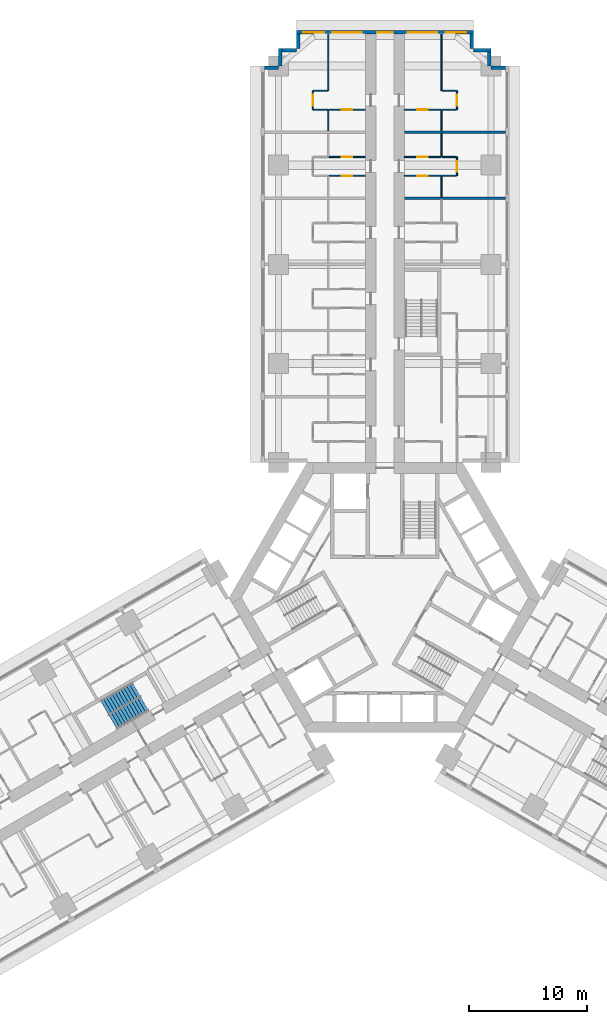
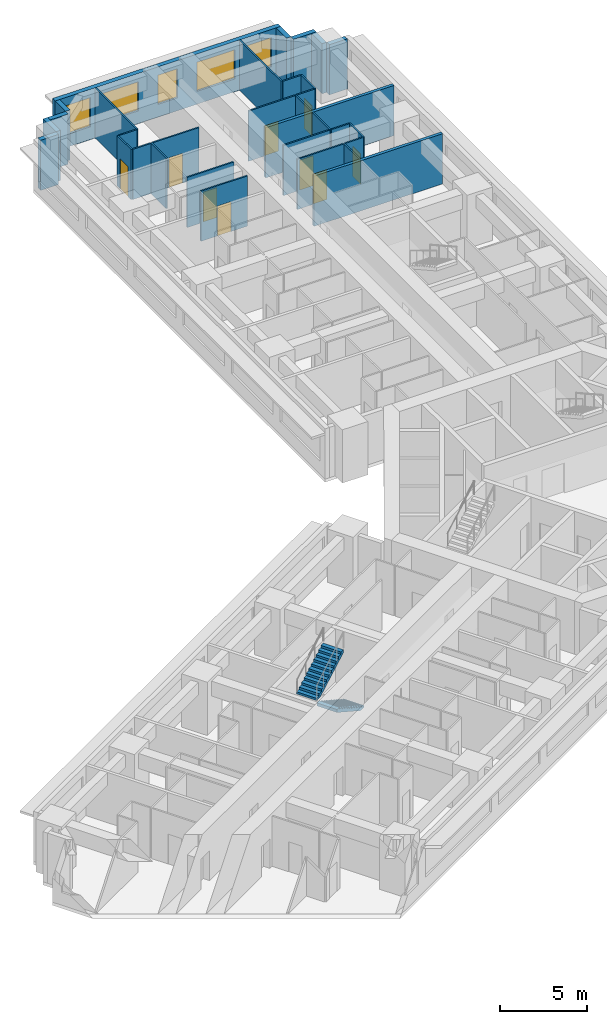
# One storey, part 15 of 17: 32 walls, 9 doors, 5 windows, 2 stair flights, 14 openings, 1 element without a shape of its own.
"""IFC4 building model written with IfcOpenShell, lengths in metres."""

from ifc_helpers import new_model, si_unit, direction, frame, frame_2d, origin, place, context, subcontext, project, spatial, polyline, rectangle, outline, extrude, material, layer, layer_set, type_object, element, fill, aggregate, save


model = new_model("IFC4")

# Units and contexts
model_context = context("Model", 3, precision=1e-05, world=origin(), true_north=direction((0.0, 1.0)))
body_context = subcontext(model_context, "Body", "Model", "MODEL_VIEW")
ifc_project = project(units=[si_unit("LENGTHUNIT", "METRE"), si_unit("AREAUNIT", "SQUARE_METRE"), si_unit("VOLUMEUNIT", "CUBIC_METRE"), si_unit("PLANEANGLEUNIT", "RADIAN"), si_unit("MASSUNIT", "GRAM", prefix="KILO")], contexts=[model_context])

# Site, building, storey
site_placement = place(None, origin())
site = spatial("IfcSite", under=ifc_project, at=site_placement, CompositionType="ELEMENT")
building_placement = place(site_placement, origin())
building = spatial("IfcBuilding", under=site, at=building_placement, Name="Impinga Residences", CompositionType="ELEMENT")
storey_placement = place(building_placement, frame((0.0, 0.0, 29.75)))
storey = spatial("IfcBuildingStorey", under=building, at=storey_placement, Name="L06", CompositionType="ELEMENT", Elevation=29.75)

# Walls
ifc_material_1 = material(Name="Terracotta rainscreen on blockwork", Category="masonry")
ifc_layer_1 = layer(ifc_material_1, 0.300048828125)
ifc_layer_set_1 = layer_set([ifc_layer_1], Name="EW1 external wall, terracotta rainscreen on blockwork 300")
wall_type_1 = type_object("IfcWallType", Name="EW1 external wall, terracotta rainscreen on blockwork 300", PredefinedType="SOLIDWALL", material=ifc_layer_set_1)
wall_1_placement = place(storey_placement, frame((-10.199951171875, 44.881591796875, 0.0), z_axis=(0.0, 0.0, 1.0), x_axis=(1.0, 0.0, 0.0)))
element("IfcWall", 1, at=wall_1_placement, inside=storey, type_object=wall_type_1, Name="External wall EW1 L06", PredefinedType="SOLIDWALL", context=body_context, shape_type="SweptSolid", body=[
    extrude(rectangle(XDim=1.199951171875, YDim=0.300048828125, at=frame_2d((0.60009765625, 0.0))), origin(), (0.0, 0.0, 1.0), 3.530029296875),
])
wall_2_placement = place(storey_placement, frame((-8.85009765625, 45.03662109375, 0.0), z_axis=(0.0, 0.0, 1.0), x_axis=(0.0, 1.0, 0.0)))
element("IfcWall", 2, at=wall_2_placement, inside=storey, type_object=wall_type_1, Name="External wall EW1 L06", PredefinedType="SOLIDWALL", context=body_context, shape_type="SweptSolid", body=[
    extrude(rectangle(XDim=1.494873046875, YDim=0.300048828125, at=frame_2d((0.74755859375, 0.0))), origin(), (0.0, 0.0, 1.0), 3.530029296875),
])
wall_3_placement = place(storey_placement, frame((-8.699951171875, 46.381591796875, 0.0), z_axis=(0.0, 0.0, 1.0), x_axis=(1.0, 0.0, 0.0)))
element("IfcWall", 3, at=wall_3_placement, inside=storey, type_object=wall_type_1, Name="External wall EW1 L06", PredefinedType="SOLIDWALL", context=body_context, shape_type="SweptSolid", body=[
    extrude(rectangle(XDim=1.199951171875, YDim=0.300048828125, at=frame_2d((0.60009765625, 0.0))), origin(), (0.0, 0.0, 1.0), 3.530029296875),
])
wall_4_placement = place(storey_placement, frame((-7.35009765625, 46.53662109375, 0.0), z_axis=(0.0, 0.0, 1.0), x_axis=(0.0, 1.0, 0.0)))
element("IfcWall", 4, at=wall_4_placement, inside=storey, type_object=wall_type_1, Name="External wall EW1 L06", PredefinedType="SOLIDWALL", context=body_context, shape_type="SweptSolid", body=[
    extrude(rectangle(XDim=1.19482421875, YDim=0.300048828125, at=frame_2d((0.597412109375, 0.0))), origin(), (0.0, 0.0, 1.0), 3.530029296875),
])

# Wall, openings, windows
wall_5_placement = place(storey_placement, frame((-7.5, 47.881591796875, 0.0), z_axis=(0.0, 0.0, 1.0), x_axis=(1.0, 0.0, 0.0)))
wall_5 = element("IfcWall", 5, at=wall_5_placement, inside=storey, type_object=wall_type_1, Name="External wall EW1 L06", PredefinedType="SOLIDWALL", context=body_context, shape_type="SweptSolid", body=[
    extrude(rectangle(XDim=15.0, YDim=0.300048828125, at=frame_2d((7.5, 0.0))), origin(), (0.0, 0.0, 1.0), 3.530029296875),
])
opening_1_placement = place(wall_5_placement, frame((0.60009765625, 0.0, 0.89990234375)))
opening_1 = element("IfcOpeningElement", 6, at=opening_1_placement, cuts=wall_5, Name="Opening W1", PredefinedType="OPENING", context=body_context, shape_type="SweptSolid", body=[
    extrude(rectangle(XDim=1.75, YDim=2.050048828125, at=frame_2d((0.875, 1.02490234375))), frame((0.0, 0.159912109375, 0.0), z_axis=(0.0, -1.0, 0.0), x_axis=(1.0, 0.0, 0.0)), (0.0, 0.0, 1.0), 0.320068359375),
])
opening_2_placement = place(wall_5_placement, frame((3.050048828125, 0.0, 0.89990234375)))
opening_2 = element("IfcOpeningElement", 7, at=opening_2_placement, cuts=wall_5, Name="Opening W2", PredefinedType="OPENING", context=body_context, shape_type="SweptSolid", body=[
    extrude(rectangle(XDim=2.5, YDim=2.050048828125, at=frame_2d((1.25, 1.02490234375))), frame((0.0, 0.159912109375, 0.0), z_axis=(0.0, -1.0, 0.0), x_axis=(1.0, 0.0, 0.0)), (0.0, 0.0, 1.0), 0.320068359375),
])
opening_3_placement = place(wall_5_placement, frame((6.85009765625, 0.0, 0.89990234375)))
opening_3 = element("IfcOpeningElement", 8, at=opening_3_placement, cuts=wall_5, Name="Opening WE1", PredefinedType="OPENING", context=body_context, shape_type="SweptSolid", body=[
    extrude(rectangle(XDim=1.300048828125, YDim=2.050048828125, at=frame_2d((0.64990234375, 1.02490234375))), frame((0.0, 0.159912109375, 0.0), z_axis=(0.0, -1.0, 0.0), x_axis=(1.0, 0.0, 0.0)), (0.0, 0.0, 1.0), 0.320068359375),
])
opening_4_placement = place(wall_5_placement, frame((9.449951171875, 0.0, 0.89990234375)))
opening_4 = element("IfcOpeningElement", 9, at=opening_4_placement, cuts=wall_5, Name="Opening W2", PredefinedType="OPENING", context=body_context, shape_type="SweptSolid", body=[
    extrude(rectangle(XDim=2.5, YDim=2.050048828125, at=frame_2d((1.25, 1.02490234375))), frame((0.0, 0.159912109375, 0.0), z_axis=(0.0, -1.0, 0.0), x_axis=(1.0, 0.0, 0.0)), (0.0, 0.0, 1.0), 0.320068359375),
])
opening_5_placement = place(wall_5_placement, frame((12.64990234375, 0.0, 0.89990234375)))
opening_5 = element("IfcOpeningElement", 10, at=opening_5_placement, cuts=wall_5, Name="Opening W1", PredefinedType="OPENING", context=body_context, shape_type="SweptSolid", body=[
    extrude(rectangle(XDim=1.75, YDim=2.050048828125, at=frame_2d((0.875, 1.02490234375))), frame((0.0, 0.159912109375, 0.0), z_axis=(0.0, -1.0, 0.0), x_axis=(1.0, 0.0, 0.0)), (0.0, 0.0, 1.0), 0.320068359375),
])
ifc_material_2 = material(Name="Aluminium window, clear double glazing", Category="aluminium")
window_type_1 = type_object("IfcWindowType", Name="W1 ribbon window 1750x2050", PartitioningType="SINGLE_PANEL", PredefinedType="WINDOW", material=ifc_material_2)
window_1_placement = place(opening_1_placement, origin())
window_1 = element("IfcWindow", 11, at=window_1_placement, inside=storey, type_object=window_type_1, Name="Window L06", OverallHeight=2.050048828125, OverallWidth=1.75, PartitioningType="SINGLE_PANEL", PredefinedType="WINDOW", context=body_context, shape_type="SweptSolid", body=[
    extrude(rectangle(XDim=1.75, YDim=2.050048828125, at=frame_2d((0.875, 1.02490234375))), frame((0.0, 0.030029296875, 0.0), z_axis=(0.0, -1.0, 0.0), x_axis=(1.0, 0.0, 0.0)), (0.0, 0.0, 1.0), 0.06005859375),
])
fill(opening_1, window_1)
window_2_placement = place(opening_5_placement, origin())
window_2 = element("IfcWindow", 12, at=window_2_placement, inside=storey, type_object=window_type_1, Name="Window L06", OverallHeight=2.050048828125, OverallWidth=1.75, PartitioningType="SINGLE_PANEL", PredefinedType="WINDOW", context=body_context, shape_type="SweptSolid", body=[
    extrude(rectangle(XDim=1.75, YDim=2.050048828125, at=frame_2d((0.875, 1.02490234375))), frame((0.0, 0.030029296875, 0.0), z_axis=(0.0, -1.0, 0.0), x_axis=(1.0, 0.0, 0.0)), (0.0, 0.0, 1.0), 0.06005859375),
])
fill(opening_5, window_2)
window_type_2 = type_object("IfcWindowType", Name="W2 ribbon window 2500x2050", PartitioningType="SINGLE_PANEL", PredefinedType="WINDOW", material=ifc_material_2)
window_3_placement = place(opening_2_placement, origin())
window_3 = element("IfcWindow", 13, at=window_3_placement, inside=storey, type_object=window_type_2, Name="Window L06", OverallHeight=2.050048828125, OverallWidth=2.5, PartitioningType="SINGLE_PANEL", PredefinedType="WINDOW", context=body_context, shape_type="SweptSolid", body=[
    extrude(rectangle(XDim=2.5, YDim=2.050048828125, at=frame_2d((1.25, 1.02490234375))), frame((0.0, 0.030029296875, 0.0), z_axis=(0.0, -1.0, 0.0), x_axis=(1.0, 0.0, 0.0)), (0.0, 0.0, 1.0), 0.06005859375),
])
fill(opening_2, window_3)
window_4_placement = place(opening_4_placement, origin())
window_4 = element("IfcWindow", 14, at=window_4_placement, inside=storey, type_object=window_type_2, Name="Window L06", OverallHeight=2.050048828125, OverallWidth=2.5, PartitioningType="SINGLE_PANEL", PredefinedType="WINDOW", context=body_context, shape_type="SweptSolid", body=[
    extrude(rectangle(XDim=2.5, YDim=2.050048828125, at=frame_2d((1.25, 1.02490234375))), frame((0.0, 0.030029296875, 0.0), z_axis=(0.0, -1.0, 0.0), x_axis=(1.0, 0.0, 0.0)), (0.0, 0.0, 1.0), 0.06005859375),
])
fill(opening_4, window_4)
window_type_3 = type_object("IfcWindowType", Name="WE1 corridor window 1300x2050", PartitioningType="SINGLE_PANEL", PredefinedType="WINDOW", material=ifc_material_2)
window_5_placement = place(opening_3_placement, origin())
window_5 = element("IfcWindow", 15, at=window_5_placement, inside=storey, type_object=window_type_3, Name="Window L06", OverallHeight=2.050048828125, OverallWidth=1.300048828125, PartitioningType="SINGLE_PANEL", PredefinedType="WINDOW", context=body_context, shape_type="SweptSolid", body=[
    extrude(rectangle(XDim=1.300048828125, YDim=2.050048828125, at=frame_2d((0.64990234375, 1.02490234375))), frame((0.0, 0.030029296875, 0.0), z_axis=(0.0, -1.0, 0.0), x_axis=(1.0, 0.0, 0.0)), (0.0, 0.0, 1.0), 0.06005859375),
])
fill(opening_3, window_5)

# Walls
wall_6_placement = place(storey_placement, frame((7.35009765625, 47.7314453125, 0.0), z_axis=(0.0, 0.0, 1.0), x_axis=(0.0, -1.0, 0.0)))
element("IfcWall", 16, at=wall_6_placement, inside=storey, type_object=wall_type_1, Name="External wall EW1 L06", PredefinedType="SOLIDWALL", context=body_context, shape_type="SweptSolid", body=[
    extrude(rectangle(XDim=1.19482421875, YDim=0.300048828125, at=frame_2d((0.597412109375, 0.0))), origin(), (0.0, 0.0, 1.0), 3.530029296875),
])
wall_7_placement = place(storey_placement, frame((7.5, 46.381591796875, 0.0), z_axis=(0.0, 0.0, 1.0), x_axis=(1.0, 0.0, 0.0)))
element("IfcWall", 17, at=wall_7_placement, inside=storey, type_object=wall_type_1, Name="External wall EW1 L06", PredefinedType="SOLIDWALL", context=body_context, shape_type="SweptSolid", body=[
    extrude(rectangle(XDim=1.5, YDim=0.300048828125, at=frame_2d((0.75, 0.0))), origin(), (0.0, 0.0, 1.0), 3.530029296875),
])
wall_8_placement = place(storey_placement, frame((8.85009765625, 46.2314453125, 0.0), z_axis=(0.0, 0.0, 1.0), x_axis=(0.0, -1.0, 0.0)))
element("IfcWall", 18, at=wall_8_placement, inside=storey, type_object=wall_type_1, Name="External wall EW1 L06", PredefinedType="SOLIDWALL", context=body_context, shape_type="SweptSolid", body=[
    extrude(rectangle(XDim=1.199951171875, YDim=0.300048828125, at=frame_2d((0.60009765625, 0.0))), origin(), (0.0, 0.0, 1.0), 3.530029296875),
])
wall_9_placement = place(storey_placement, frame((9.0048828125, 44.881591796875, 0.0), z_axis=(0.0, 0.0, 1.0), x_axis=(1.0, 0.0, 0.0)))
element("IfcWall", 19, at=wall_9_placement, inside=storey, type_object=wall_type_1, Name="External wall EW1 L06", PredefinedType="SOLIDWALL", context=body_context, shape_type="SweptSolid", body=[
    extrude(rectangle(XDim=1.195068359375, YDim=0.300048828125, at=frame_2d((0.59765625, 0.0))), origin(), (0.0, 0.0, 1.0), 3.530029296875),
])

# Wall, opening, door
ifc_material_3 = material(Name="Gypsum board on steel studs", Category="steel")
ifc_layer_2 = layer(ifc_material_3, 0.10009765625)
ifc_layer_set_2 = layer_set([ifc_layer_2], Name="Gypsum board on steel studs")
wall_type_2 = type_object("IfcWallType", Name="IP1 partition 100", PredefinedType="PARTITIONING", material=ifc_layer_set_2)
wall_10_placement = place(storey_placement, frame((-1.64990234375, 35.7314453125, 0.0), z_axis=(0.0, 0.0, 1.0), x_axis=(-1.0, 0.0, 0.0)))
wall_10 = element("IfcWall", 20, at=wall_10_placement, inside=storey, type_object=wall_type_2, Name="Partition L06-NA5:IB1", PredefinedType="PARTITIONING", context=body_context, shape_type="SweptSolid", body=[
    extrude(rectangle(XDim=3.10009765625, YDim=0.10009765625, at=frame_2d((1.550048828125, 0.0))), origin(), (0.0, 0.0, 1.0), 3.530029296875),
])
opening_6_placement = place(wall_10_placement, frame((1.10009765625, 0.0, 0.0)))
opening_6 = element("IfcOpeningElement", 21, at=opening_6_placement, cuts=wall_10, Name="Opening D2", PredefinedType="OPENING", context=body_context, shape_type="SweptSolid", body=[
    extrude(rectangle(XDim=0.89990234375, YDim=2.10009765625, at=frame_2d((0.449951171875, 1.050048828125))), frame((0.0, 0.06005859375, 0.0), z_axis=(0.0, -1.0, 0.0), x_axis=(1.0, 0.0, 0.0)), (0.0, 0.0, 1.0), 0.1201171875),
])
ifc_material_4 = material(Name="Timber door set", Category="wood")
door_type = type_object("IfcDoorType", Name="D2 internal door 900x2100", OperationType="SINGLE_SWING_LEFT", PredefinedType="DOOR", material=ifc_material_4)
door_1_placement = place(opening_6_placement, origin())
door_1 = element("IfcDoor", 22, at=door_1_placement, inside=storey, type_object=door_type, Name="Apartment L06-NA5 bathroom door", OperationType="SINGLE_SWING_LEFT", OverallHeight=2.10009765625, OverallWidth=0.89990234375, PredefinedType="DOOR", context=body_context, shape_type="SweptSolid", body=[
    extrude(rectangle(XDim=0.89990234375, YDim=2.10009765625, at=frame_2d((0.449951171875, 1.050048828125))), frame((0.0, 0.02490234375, 0.0), z_axis=(0.0, -1.0, 0.0), x_axis=(1.0, 0.0, 0.0)), (0.0, 0.0, 1.0), 0.050048828125),
])
fill(opening_6, door_1)

wall_11_placement = place(storey_placement, frame((-1.64990234375, 37.33154296875, 0.0), z_axis=(0.0, 0.0, 1.0), x_axis=(-1.0, 0.0, 0.0)))
wall_11 = element("IfcWall", 23, at=wall_11_placement, inside=storey, type_object=wall_type_2, Name="Partition L06-NA5:IB2", PredefinedType="PARTITIONING", context=body_context, shape_type="SweptSolid", body=[
    extrude(rectangle(XDim=3.10009765625, YDim=0.10009765625, at=frame_2d((1.550048828125, 0.0))), origin(), (0.0, 0.0, 1.0), 3.530029296875),
])
opening_7_placement = place(wall_11_placement, frame((1.10009765625, 0.0, 0.0)))
opening_7 = element("IfcOpeningElement", 24, at=opening_7_placement, cuts=wall_11, Name="Opening D2", PredefinedType="OPENING", context=body_context, shape_type="SweptSolid", body=[
    extrude(rectangle(XDim=0.89990234375, YDim=2.10009765625, at=frame_2d((0.449951171875, 1.050048828125))), frame((0.0, 0.06005859375, 0.0), z_axis=(0.0, -1.0, 0.0), x_axis=(1.0, 0.0, 0.0)), (0.0, 0.0, 1.0), 0.1201171875),
])
door_2_placement = place(opening_7_placement, origin())
door_2 = element("IfcDoor", 25, at=door_2_placement, inside=storey, type_object=door_type, Name="Apartment L06-NA5 WC door", OperationType="SINGLE_SWING_LEFT", OverallHeight=2.10009765625, OverallWidth=0.89990234375, PredefinedType="DOOR", context=body_context, shape_type="SweptSolid", body=[
    extrude(rectangle(XDim=0.89990234375, YDim=2.10009765625, at=frame_2d((0.449951171875, 1.050048828125))), frame((0.0, 0.02490234375, 0.0), z_axis=(0.0, -1.0, 0.0), x_axis=(1.0, 0.0, 0.0)), (0.0, 0.0, 1.0), 0.050048828125),
])
fill(opening_7, door_2)

# Walls
wall_12_placement = place(storey_placement, frame((-4.800048828125, 39.531494140625, 0.0), z_axis=(0.0, 0.0, 1.0), x_axis=(0.0, 1.0, 0.0)))
element("IfcWall", 26, at=wall_12_placement, inside=storey, type_object=wall_type_2, Name="Partition L06-NA6:DIV0", PredefinedType="PARTITIONING", context=body_context, shape_type="SweptSolid", body=[
    extrude(rectangle(XDim=1.800048828125, YDim=0.10009765625, at=frame_2d((0.89990234375, 0.0))), origin(), (0.0, 0.0, 1.0), 3.530029296875),
])
wall_13_placement = place(storey_placement, frame((-4.800048828125, 42.931640625, 0.0), z_axis=(0.0, 0.0, 1.0), x_axis=(0.0, 1.0, 0.0)))
element("IfcWall", 27, at=wall_13_placement, inside=storey, type_object=wall_type_2, Name="Partition L06-NA6:DIV1", PredefinedType="PARTITIONING", context=body_context, shape_type="SweptSolid", body=[
    extrude(rectangle(XDim=4.7998046875, YDim=0.10009765625, at=frame_2d((2.39990234375, 0.0))), origin(), (0.0, 0.0, 1.0), 3.530029296875),
])

# Wall, opening, door
wall_14_placement = place(storey_placement, frame((-6.10009765625, 41.33154296875, 0.0), z_axis=(0.0, 0.0, 1.0), x_axis=(0.0, 1.0, 0.0)))
wall_14 = element("IfcWall", 28, at=wall_14_placement, inside=storey, type_object=wall_type_2, Name="Partition L06-NA6:STRIP", PredefinedType="PARTITIONING", context=body_context, shape_type="SweptSolid", body=[
    extrude(rectangle(XDim=1.60009765625, YDim=0.10009765625, at=frame_2d((0.800048828125, 0.0))), origin(), (0.0, 0.0, 1.0), 3.530029296875),
])
opening_8_placement = place(wall_14_placement, frame((0.35009765625, 0.0, 0.0)))
opening_8 = element("IfcOpeningElement", 29, at=opening_8_placement, cuts=wall_14, Name="Opening D2", PredefinedType="OPENING", context=body_context, shape_type="SweptSolid", body=[
    extrude(rectangle(XDim=0.89990234375, YDim=2.10009765625, at=frame_2d((0.449951171875, 1.050048828125))), frame((0.0, 0.06005859375, 0.0), z_axis=(0.0, -1.0, 0.0), x_axis=(1.0, 0.0, 0.0)), (0.0, 0.0, 1.0), 0.1201171875),
])
door_3_placement = place(opening_8_placement, origin())
door_3 = element("IfcDoor", 30, at=door_3_placement, inside=storey, type_object=door_type, Name="Apartment L06-NA6 room door", OperationType="SINGLE_SWING_LEFT", OverallHeight=2.10009765625, OverallWidth=0.89990234375, PredefinedType="DOOR", context=body_context, shape_type="SweptSolid", body=[
    extrude(rectangle(XDim=0.89990234375, YDim=2.10009765625, at=frame_2d((0.449951171875, 1.050048828125))), frame((0.0, 0.02490234375, 0.0), z_axis=(0.0, -1.0, 0.0), x_axis=(1.0, 0.0, 0.0)), (0.0, 0.0, 1.0), 0.050048828125),
])
fill(opening_8, door_3)

# Walls
for number, where, z_axis, x_axis, name in (
    (31, (-4.85009765625, 41.33154296875, 0.0), (0.0, 0.0, 1.0), (-1.0, 0.0, 0.0), "Partition L06-NA6:SE0"),
    (32, (-4.85009765625, 42.931640625, 0.0), (0.0, 0.0, 1.0), (-1.0, 0.0, 0.0), "Partition L06-NA6:SE1"),
):
    element("IfcWall", number, at=place(storey_placement, frame(where, z_axis=z_axis, x_axis=x_axis)), inside=storey, type_object=wall_type_2, Name=name, PredefinedType="PARTITIONING", context=body_context, shape_type="SweptSolid", body=[
        extrude(rectangle(XDim=1.199951171875, YDim=0.10009765625, at=frame_2d((0.60009765625, 0.0))), origin(), (0.0, 0.0, 1.0), 3.530029296875),
    ])

# Wall, opening, door
wall_15_placement = place(storey_placement, frame((-1.64990234375, 41.33154296875, 0.0), z_axis=(0.0, 0.0, 1.0), x_axis=(-1.0, 0.0, 0.0)))
wall_15 = element("IfcWall", 33, at=wall_15_placement, inside=storey, type_object=wall_type_2, Name="Partition L06-NA6:IB1", PredefinedType="PARTITIONING", context=body_context, shape_type="SweptSolid", body=[
    extrude(rectangle(XDim=3.10009765625, YDim=0.10009765625, at=frame_2d((1.550048828125, 0.0))), origin(), (0.0, 0.0, 1.0), 3.530029296875),
])
opening_9_placement = place(wall_15_placement, frame((1.10009765625, 0.0, 0.0)))
opening_9 = element("IfcOpeningElement", 34, at=opening_9_placement, cuts=wall_15, Name="Opening D2", PredefinedType="OPENING", context=body_context, shape_type="SweptSolid", body=[
    extrude(rectangle(XDim=0.89990234375, YDim=2.10009765625, at=frame_2d((0.449951171875, 1.050048828125))), frame((0.0, 0.06005859375, 0.0), z_axis=(0.0, -1.0, 0.0), x_axis=(1.0, 0.0, 0.0)), (0.0, 0.0, 1.0), 0.1201171875),
])
door_4_placement = place(opening_9_placement, origin())
door_4 = element("IfcDoor", 35, at=door_4_placement, inside=storey, type_object=door_type, Name="Apartment L06-NA6 bathroom door", OperationType="SINGLE_SWING_LEFT", OverallHeight=2.10009765625, OverallWidth=0.89990234375, PredefinedType="DOOR", context=body_context, shape_type="SweptSolid", body=[
    extrude(rectangle(XDim=0.89990234375, YDim=2.10009765625, at=frame_2d((0.449951171875, 1.050048828125))), frame((0.0, 0.02490234375, 0.0), z_axis=(0.0, -1.0, 0.0), x_axis=(1.0, 0.0, 0.0)), (0.0, 0.0, 1.0), 0.050048828125),
])
fill(opening_9, door_4)

# Walls
wall_16_placement = place(storey_placement, frame((4.800048828125, 33.931640625, 0.0), z_axis=(0.0, 0.0, 1.0), x_axis=(0.0, 1.0, 0.0)))
element("IfcWall", 36, at=wall_16_placement, inside=storey, type_object=wall_type_2, Name="Partition L06-NF3:DIV0", PredefinedType="PARTITIONING", context=body_context, shape_type="SweptSolid", body=[
    extrude(rectangle(XDim=1.7998046875, YDim=0.10009765625, at=frame_2d((0.89990234375, 0.0))), origin(), (0.0, 0.0, 1.0), 3.530029296875),
])
wall_17_placement = place(storey_placement, frame((4.800048828125, 37.33154296875, 0.0), z_axis=(0.0, 0.0, 1.0), x_axis=(0.0, 1.0, 0.0)))
element("IfcWall", 37, at=wall_17_placement, inside=storey, type_object=wall_type_2, Name="Partition L06-NF3:DIV1", PredefinedType="PARTITIONING", context=body_context, shape_type="SweptSolid", body=[
    extrude(rectangle(XDim=2.0, YDim=0.10009765625, at=frame_2d((1.0, 0.0))), origin(), (0.0, 0.0, 1.0), 3.530029296875),
])

# Wall, opening, door
wall_18_placement = place(storey_placement, frame((6.10009765625, 35.7314453125, 0.0), z_axis=(0.0, 0.0, 1.0), x_axis=(0.0, 1.0, 0.0)))
wall_18 = element("IfcWall", 38, at=wall_18_placement, inside=storey, type_object=wall_type_2, Name="Partition L06-NF3:STRIP", PredefinedType="PARTITIONING", context=body_context, shape_type="SweptSolid", body=[
    extrude(rectangle(XDim=1.60009765625, YDim=0.10009765625, at=frame_2d((0.800048828125, 0.0))), origin(), (0.0, 0.0, 1.0), 3.530029296875),
])
opening_10_placement = place(wall_18_placement, frame((0.35009765625, 0.0, 0.0)))
opening_10 = element("IfcOpeningElement", 39, at=opening_10_placement, cuts=wall_18, Name="Opening D2", PredefinedType="OPENING", context=body_context, shape_type="SweptSolid", body=[
    extrude(rectangle(XDim=0.89990234375, YDim=2.10009765625, at=frame_2d((0.449951171875, 1.050048828125))), frame((0.0, 0.06005859375, 0.0), z_axis=(0.0, -1.0, 0.0), x_axis=(1.0, 0.0, 0.0)), (0.0, 0.0, 1.0), 0.1201171875),
])
door_5_placement = place(opening_10_placement, origin())
door_5 = element("IfcDoor", 40, at=door_5_placement, inside=storey, type_object=door_type, Name="Apartment L06-NF3 room door", OperationType="SINGLE_SWING_LEFT", OverallHeight=2.10009765625, OverallWidth=0.89990234375, PredefinedType="DOOR", context=body_context, shape_type="SweptSolid", body=[
    extrude(rectangle(XDim=0.89990234375, YDim=2.10009765625, at=frame_2d((0.449951171875, 1.050048828125))), frame((0.0, 0.02490234375, 0.0), z_axis=(0.0, -1.0, 0.0), x_axis=(1.0, 0.0, 0.0)), (0.0, 0.0, 1.0), 0.050048828125),
])
fill(opening_10, door_5)

# Walls
for number, where, z_axis, x_axis, name in (
    (41, (4.85009765625, 35.7314453125, 0.0), (0.0, 0.0, 1.0), (1.0, 0.0, 0.0), "Partition L06-NF3:SE0"),
    (42, (4.85009765625, 37.33154296875, 0.0), (0.0, 0.0, 1.0), (1.0, 0.0, 0.0), "Partition L06-NF3:SE1"),
):
    element("IfcWall", number, at=place(storey_placement, frame(where, z_axis=z_axis, x_axis=x_axis)), inside=storey, type_object=wall_type_2, Name=name, PredefinedType="PARTITIONING", context=body_context, shape_type="SweptSolid", body=[
        extrude(rectangle(XDim=1.199951171875, YDim=0.10009765625, at=frame_2d((0.60009765625, 0.0))), origin(), (0.0, 0.0, 1.0), 3.530029296875),
    ])

# Wall, opening, door
wall_19_placement = place(storey_placement, frame((1.64990234375, 35.7314453125, 0.0), z_axis=(0.0, 0.0, 1.0), x_axis=(1.0, 0.0, 0.0)))
wall_19 = element("IfcWall", 43, at=wall_19_placement, inside=storey, type_object=wall_type_2, Name="Partition L06-NF3:IB1", PredefinedType="PARTITIONING", context=body_context, shape_type="SweptSolid", body=[
    extrude(rectangle(XDim=3.10009765625, YDim=0.10009765625, at=frame_2d((1.550048828125, 0.0))), origin(), (0.0, 0.0, 1.0), 3.530029296875),
])
opening_11_placement = place(wall_19_placement, frame((1.10009765625, 0.0, 0.0)))
opening_11 = element("IfcOpeningElement", 44, at=opening_11_placement, cuts=wall_19, Name="Opening D2", PredefinedType="OPENING", context=body_context, shape_type="SweptSolid", body=[
    extrude(rectangle(XDim=0.89990234375, YDim=2.10009765625, at=frame_2d((0.449951171875, 1.050048828125))), frame((0.0, 0.06005859375, 0.0), z_axis=(0.0, -1.0, 0.0), x_axis=(1.0, 0.0, 0.0)), (0.0, 0.0, 1.0), 0.1201171875),
])
door_6_placement = place(opening_11_placement, origin())
door_6 = element("IfcDoor", 45, at=door_6_placement, inside=storey, type_object=door_type, Name="Apartment L06-NF3 bathroom door", OperationType="SINGLE_SWING_LEFT", OverallHeight=2.10009765625, OverallWidth=0.89990234375, PredefinedType="DOOR", context=body_context, shape_type="SweptSolid", body=[
    extrude(rectangle(XDim=0.89990234375, YDim=2.10009765625, at=frame_2d((0.449951171875, 1.050048828125))), frame((0.0, 0.02490234375, 0.0), z_axis=(0.0, -1.0, 0.0), x_axis=(1.0, 0.0, 0.0)), (0.0, 0.0, 1.0), 0.050048828125),
])
fill(opening_11, door_6)

wall_20_placement = place(storey_placement, frame((1.64990234375, 37.33154296875, 0.0), z_axis=(0.0, 0.0, 1.0), x_axis=(1.0, 0.0, 0.0)))
wall_20 = element("IfcWall", 46, at=wall_20_placement, inside=storey, type_object=wall_type_2, Name="Partition L06-NF3:IB2", PredefinedType="PARTITIONING", context=body_context, shape_type="SweptSolid", body=[
    extrude(rectangle(XDim=3.10009765625, YDim=0.10009765625, at=frame_2d((1.550048828125, 0.0))), origin(), (0.0, 0.0, 1.0), 3.530029296875),
])
opening_12_placement = place(wall_20_placement, frame((1.10009765625, 0.0, 0.0)))
opening_12 = element("IfcOpeningElement", 47, at=opening_12_placement, cuts=wall_20, Name="Opening D2", PredefinedType="OPENING", context=body_context, shape_type="SweptSolid", body=[
    extrude(rectangle(XDim=0.89990234375, YDim=2.10009765625, at=frame_2d((0.449951171875, 1.050048828125))), frame((0.0, 0.06005859375, 0.0), z_axis=(0.0, -1.0, 0.0), x_axis=(1.0, 0.0, 0.0)), (0.0, 0.0, 1.0), 0.1201171875),
])
door_7_placement = place(opening_12_placement, origin())
door_7 = element("IfcDoor", 48, at=door_7_placement, inside=storey, type_object=door_type, Name="Apartment L06-NF3 WC door", OperationType="SINGLE_SWING_LEFT", OverallHeight=2.10009765625, OverallWidth=0.89990234375, PredefinedType="DOOR", context=body_context, shape_type="SweptSolid", body=[
    extrude(rectangle(XDim=0.89990234375, YDim=2.10009765625, at=frame_2d((0.449951171875, 1.050048828125))), frame((0.0, 0.02490234375, 0.0), z_axis=(0.0, -1.0, 0.0), x_axis=(1.0, 0.0, 0.0)), (0.0, 0.0, 1.0), 0.050048828125),
])
fill(opening_12, door_7)

# Walls
wall_21_placement = place(storey_placement, frame((4.800048828125, 39.531494140625, 0.0), z_axis=(0.0, 0.0, 1.0), x_axis=(0.0, 1.0, 0.0)))
element("IfcWall", 49, at=wall_21_placement, inside=storey, type_object=wall_type_2, Name="Partition L06-NF4:DIV0", PredefinedType="PARTITIONING", context=body_context, shape_type="SweptSolid", body=[
    extrude(rectangle(XDim=1.800048828125, YDim=0.10009765625, at=frame_2d((0.89990234375, 0.0))), origin(), (0.0, 0.0, 1.0), 3.530029296875),
])
wall_22_placement = place(storey_placement, frame((4.800048828125, 42.931640625, 0.0), z_axis=(0.0, 0.0, 1.0), x_axis=(0.0, 1.0, 0.0)))
element("IfcWall", 50, at=wall_22_placement, inside=storey, type_object=wall_type_2, Name="Partition L06-NF4:DIV1", PredefinedType="PARTITIONING", context=body_context, shape_type="SweptSolid", body=[
    extrude(rectangle(XDim=4.7998046875, YDim=0.10009765625, at=frame_2d((2.39990234375, 0.0))), origin(), (0.0, 0.0, 1.0), 3.530029296875),
])

# Wall, opening, door
wall_23_placement = place(storey_placement, frame((6.10009765625, 41.33154296875, 0.0), z_axis=(0.0, 0.0, 1.0), x_axis=(0.0, 1.0, 0.0)))
wall_23 = element("IfcWall", 51, at=wall_23_placement, inside=storey, type_object=wall_type_2, Name="Partition L06-NF4:STRIP", PredefinedType="PARTITIONING", context=body_context, shape_type="SweptSolid", body=[
    extrude(rectangle(XDim=1.60009765625, YDim=0.10009765625, at=frame_2d((0.800048828125, 0.0))), origin(), (0.0, 0.0, 1.0), 3.530029296875),
])
opening_13_placement = place(wall_23_placement, frame((0.35009765625, 0.0, 0.0)))
opening_13 = element("IfcOpeningElement", 52, at=opening_13_placement, cuts=wall_23, Name="Opening D2", PredefinedType="OPENING", context=body_context, shape_type="SweptSolid", body=[
    extrude(rectangle(XDim=0.89990234375, YDim=2.10009765625, at=frame_2d((0.449951171875, 1.050048828125))), frame((0.0, 0.06005859375, 0.0), z_axis=(0.0, -1.0, 0.0), x_axis=(1.0, 0.0, 0.0)), (0.0, 0.0, 1.0), 0.1201171875),
])
door_8_placement = place(opening_13_placement, origin())
door_8 = element("IfcDoor", 53, at=door_8_placement, inside=storey, type_object=door_type, Name="Apartment L06-NF4 room door", OperationType="SINGLE_SWING_LEFT", OverallHeight=2.10009765625, OverallWidth=0.89990234375, PredefinedType="DOOR", context=body_context, shape_type="SweptSolid", body=[
    extrude(rectangle(XDim=0.89990234375, YDim=2.10009765625, at=frame_2d((0.449951171875, 1.050048828125))), frame((0.0, 0.02490234375, 0.0), z_axis=(0.0, -1.0, 0.0), x_axis=(1.0, 0.0, 0.0)), (0.0, 0.0, 1.0), 0.050048828125),
])
fill(opening_13, door_8)

# Walls
for number, where, z_axis, x_axis, name in (
    (54, (4.85009765625, 41.33154296875, 0.0), (0.0, 0.0, 1.0), (1.0, 0.0, 0.0), "Partition L06-NF4:SE0"),
    (55, (4.85009765625, 42.931640625, 0.0), (0.0, 0.0, 1.0), (1.0, 0.0, 0.0), "Partition L06-NF4:SE1"),
):
    element("IfcWall", number, at=place(storey_placement, frame(where, z_axis=z_axis, x_axis=x_axis)), inside=storey, type_object=wall_type_2, Name=name, PredefinedType="PARTITIONING", context=body_context, shape_type="SweptSolid", body=[
        extrude(rectangle(XDim=1.199951171875, YDim=0.10009765625, at=frame_2d((0.60009765625, 0.0))), origin(), (0.0, 0.0, 1.0), 3.530029296875),
    ])

# Wall, opening, door
wall_24_placement = place(storey_placement, frame((1.64990234375, 41.33154296875, 0.0), z_axis=(0.0, 0.0, 1.0), x_axis=(1.0, 0.0, 0.0)))
wall_24 = element("IfcWall", 56, at=wall_24_placement, inside=storey, type_object=wall_type_2, Name="Partition L06-NF4:IB1", PredefinedType="PARTITIONING", context=body_context, shape_type="SweptSolid", body=[
    extrude(rectangle(XDim=3.10009765625, YDim=0.10009765625, at=frame_2d((1.550048828125, 0.0))), origin(), (0.0, 0.0, 1.0), 3.530029296875),
])
opening_14_placement = place(wall_24_placement, frame((1.10009765625, 0.0, 0.0)))
opening_14 = element("IfcOpeningElement", 57, at=opening_14_placement, cuts=wall_24, Name="Opening D2", PredefinedType="OPENING", context=body_context, shape_type="SweptSolid", body=[
    extrude(rectangle(XDim=0.89990234375, YDim=2.10009765625, at=frame_2d((0.449951171875, 1.050048828125))), frame((0.0, 0.06005859375, 0.0), z_axis=(0.0, -1.0, 0.0), x_axis=(1.0, 0.0, 0.0)), (0.0, 0.0, 1.0), 0.1201171875),
])
door_9_placement = place(opening_14_placement, origin())
door_9 = element("IfcDoor", 58, at=door_9_placement, inside=storey, type_object=door_type, Name="Apartment L06-NF4 bathroom door", OperationType="SINGLE_SWING_LEFT", OverallHeight=2.10009765625, OverallWidth=0.89990234375, PredefinedType="DOOR", context=body_context, shape_type="SweptSolid", body=[
    extrude(rectangle(XDim=0.89990234375, YDim=2.10009765625, at=frame_2d((0.449951171875, 1.050048828125))), frame((0.0, 0.02490234375, 0.0), z_axis=(0.0, -1.0, 0.0), x_axis=(1.0, 0.0, 0.0)), (0.0, 0.0, 1.0), 0.050048828125),
])
fill(opening_14, door_9)

# Walls
ifc_material_5 = material(Name="Concrete blockwork", Category="masonry")
ifc_layer_3 = layer(ifc_material_5, 0.199951171875)
ifc_layer_set_3 = layer_set([ifc_layer_3], Name="PW1 party wall between apartments 200")
wall_type_3 = type_object("IfcWallType", Name="PW1 party wall between apartments 200", PredefinedType="SOLIDWALL", material=ifc_layer_set_3)
for number, where, z_axis, x_axis, name in (
    (59, (1.64990234375, 33.83154296875, 0.0), (0.0, 0.0, 1.0), (1.0, 0.0, 0.0), "Party wall between apartments L06-NF2:PARTY"),
    (60, (1.64990234375, 39.431640625, 0.0), (0.0, 0.0, 1.0), (1.0, 0.0, 0.0), "Party wall between apartments L06-NF3:PARTY"),
):
    element("IfcWall", number, at=place(storey_placement, frame(where, z_axis=z_axis, x_axis=x_axis)), inside=storey, type_object=wall_type_3, Name=name, PredefinedType="SOLIDWALL", context=body_context, shape_type="SweptSolid", body=[
        extrude(rectangle(XDim=8.550048828125, YDim=0.199951171875, at=frame_2d((4.27490234375, 0.0))), origin(), (0.0, 0.0, 1.0), 3.530029296875),
    ])

# Stair, stair flights
ifc_material_6 = material(Name="Concrete C40/50", Category="concrete")
stair_type = type_object("IfcStairType", Name="STR wing stair 3750 storey, 24 risers", PredefinedType="HALF_TURN_STAIR", material=ifc_material_6)
stair_placement = place(storey_placement, origin())
stair = element("IfcStair", 61, at=stair_placement, inside=storey, type_object=stair_type, Name="Stair WS2 L06", PredefinedType="HALF_TURN_STAIR")
stair_flight_type = type_object("IfcStairFlightType", Name="SF 12 risers of 156", PredefinedType="STRAIGHT", material=ifc_material_6)
stair_flight_1_placement = place(storey_placement, frame((-20.37890625, -8.965576171875, 0.0), z_axis=(0.0, 0.0, 1.0), x_axis=(-0.866025403784, -0.5, 0.0)))
stair_flight_1 = element("IfcStairFlight", 62, at=stair_flight_1_placement, type_object=stair_flight_type, Name="WS2 flight 1", NumberOfRisers=12, NumberOfTreads=11, PredefinedType="STRAIGHT", RiserHeight=0.15625, TreadLength=0.28, context=body_context, shape_type="SweptSolid", body=[
    extrude(outline(polyline([(0.0, 0.0), (0.0, 0.15625), (0.280029296875, 0.15625), (0.280029296875, 0.3125), (0.56005859375, 0.3125), (0.56005859375, 0.46875), (0.840087890625, 0.46875), (0.840087890625, 0.625), (1.1201171875, 0.625), (1.1201171875, 0.78125), (1.39990234375, 0.78125), (1.39990234375, 0.9375), (1.679931640625, 0.9375), (1.679931640625, 1.09375), (1.9599609375, 1.09375), (1.9599609375, 1.25), (2.239990234375, 1.25), (2.239990234375, 1.40625), (2.52001953125, 1.40625), (2.52001953125, 1.5625), (2.800048828125, 1.5625), (2.800048828125, 1.71875), (3.080078125, 1.71875), (3.080078125, 1.875), (3.080078125, 1.5126953125), (0.369140625, 0.0), (0.0, 0.0)])), frame((0.0, 0.675048828125, 0.0), z_axis=(0.0, -1.0, 0.0), x_axis=(1.0, 0.0, 0.0)), (0.0, 0.0, 1.0), 1.35009765625),
])
stair_flight_2_placement = place(storey_placement, frame((-23.721435546875, -9.33642578125, 1.875), z_axis=(0.0, 0.0, 1.0), x_axis=(0.866025403784, 0.5, 0.0)))
stair_flight_2 = element("IfcStairFlight", 63, at=stair_flight_2_placement, type_object=stair_flight_type, Name="WS2 flight 2", NumberOfRisers=12, NumberOfTreads=11, PredefinedType="STRAIGHT", RiserHeight=0.15625, TreadLength=0.28, context=body_context, shape_type="SweptSolid", body=[
    extrude(outline(polyline([(0.0, 0.0), (0.0, 0.15625), (0.280029296875, 0.15625), (0.280029296875, 0.3125), (0.56005859375, 0.3125), (0.56005859375, 0.46875), (0.840087890625, 0.46875), (0.840087890625, 0.625), (1.1201171875, 0.625), (1.1201171875, 0.78125), (1.39990234375, 0.78125), (1.39990234375, 0.9375), (1.679931640625, 0.9375), (1.679931640625, 1.09375), (1.9599609375, 1.09375), (1.9599609375, 1.25), (2.239990234375, 1.25), (2.239990234375, 1.40625), (2.52001953125, 1.40625), (2.52001953125, 1.5625), (2.800048828125, 1.5625), (2.800048828125, 1.71875), (3.080078125, 1.71875), (3.080078125, 1.875), (3.080078125, 1.5126953125), (0.369140625, 0.0), (0.0, 0.0)])), frame((0.0, 0.675048828125, 0.0), z_axis=(0.0, -1.0, 0.0), x_axis=(1.0, 0.0, 0.0)), (0.0, 0.0, 1.0), 1.35009765625),
])
aggregate(stair, [stair_flight_1, stair_flight_2])

save(model, "model.ifc")
